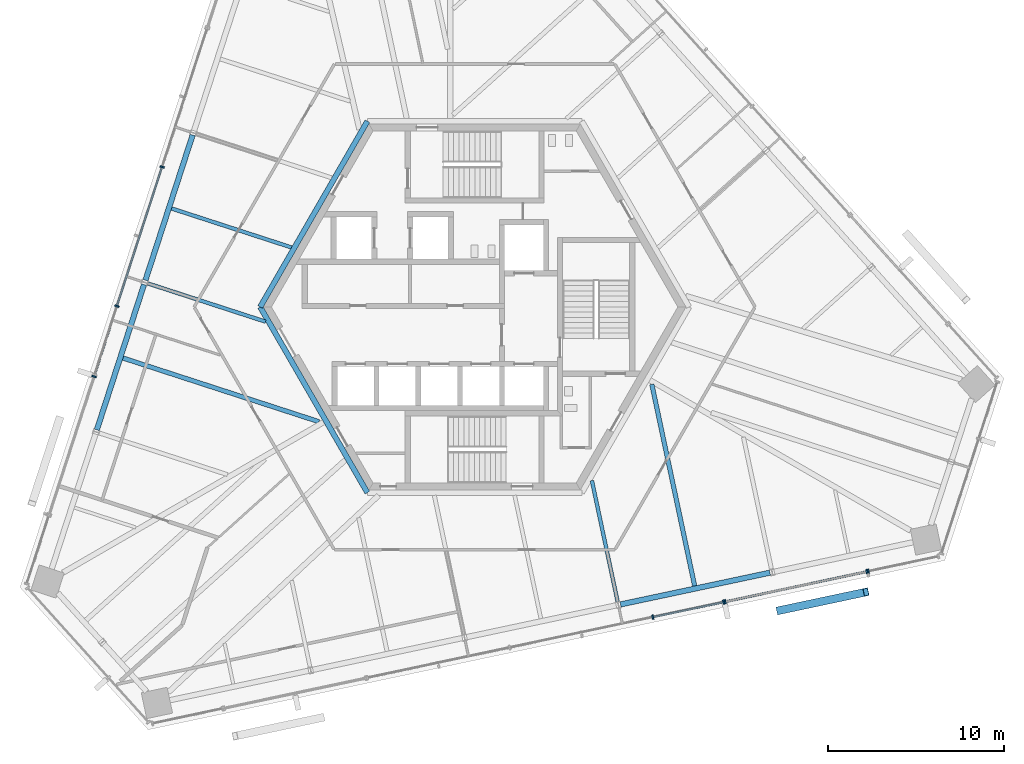
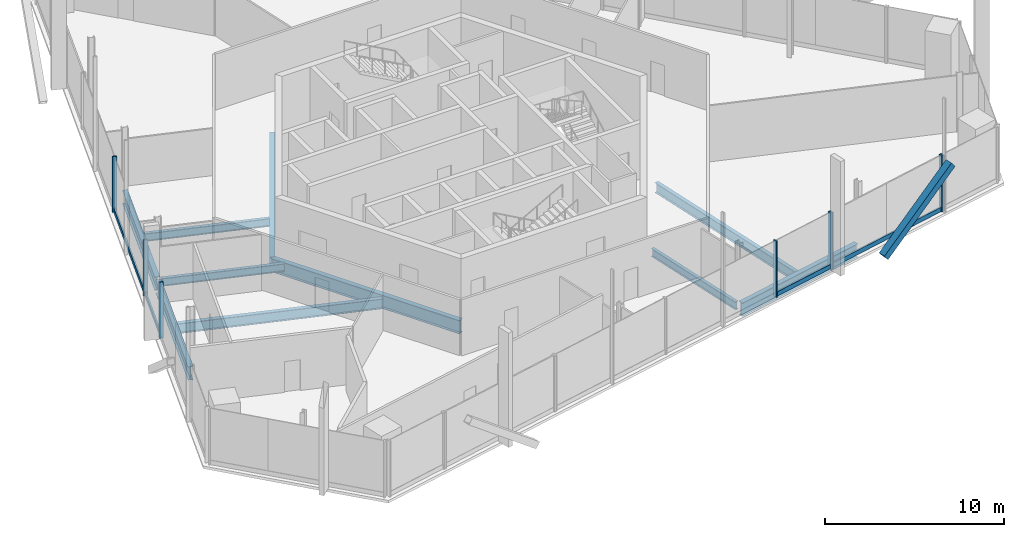
# One storey, part 5 of 17: 13 members, 10 beams, 5 elements without a shape of their own.
"""IFC4 building model written with IfcOpenShell, lengths in metres."""

from ifc_helpers import new_model, si_unit, direction, frame, origin, origin_2d, place, context, subcontext, project, spatial, rectangle, hollow_rectangle, i_section, extrude, source, transform, mapped, material, material_profile, profile_set, type_object, element, aggregate, save


model = new_model("IFC4")

# Units and contexts
model_context = context("Model", 3, precision=1e-05, world=origin(), true_north=direction((0.0, 1.0)))
body_context = subcontext(model_context, "Body", "Model", "MODEL_VIEW")
ifc_project = project(units=[si_unit("LENGTHUNIT", "METRE"), si_unit("AREAUNIT", "SQUARE_METRE"), si_unit("VOLUMEUNIT", "CUBIC_METRE"), si_unit("PLANEANGLEUNIT", "RADIAN"), si_unit("MASSUNIT", "GRAM", prefix="KILO")], contexts=[model_context])

# Site, building, storey
site_placement = place(None, origin())
site = spatial("IfcSite", under=ifc_project, at=site_placement, CompositionType="ELEMENT")
building_placement = place(site_placement, origin())
building = spatial("IfcBuilding", under=site, at=building_placement, Name="Triune Harvest Tower", CompositionType="ELEMENT")
storey_placement = place(building_placement, frame((0.0, 0.0, 288.699951171875)))
storey = spatial("IfcBuildingStorey", under=building, at=storey_placement, Name="L76", CompositionType="ELEMENT", Elevation=288.699951171875)

# Curtain wall, member
ifc_material_1 = material(Name="Aluminium bronze anodised", Category="aluminium")
curtain_wall_type_1 = type_object("IfcCurtainWallType", Name="CW-4 Sky lobby tall glazing wall", PredefinedType="NOTDEFINED", material=ifc_material_1)
curtain_wall_1_placement = place(storey_placement, origin())
curtain_wall_1 = element("IfcCurtainWall", 1, at=curtain_wall_1_placement, inside=storey, type_object=curtain_wall_type_1, Name="CW-4 B7-F3 L76 run 2001")
ifc_material_2 = material(Name="Aluminium bronze anodised", Category="aluminium")
ifc_material_profile_1 = material_profile(ifc_material_2, rectangle(XDim=0.10009765625, YDim=0.300048828125, at=origin_2d()), Name="TR-4 transom 100 x 300")
ifc_profile_set_1 = profile_set([ifc_material_profile_1], Name="Aluminium bronze anodised")
member_type_1 = type_object("IfcMemberType", Name="TR-4 transom 100 x 300", PredefinedType="USERDEFINED", material=ifc_profile_set_1)
member_1_placement = place(storey_placement, frame((-17.755615234375, 7.90673828125, 0.150146484375), z_axis=(-0.309029670889, -0.951052397353, 0.0), x_axis=(0.951052397353, -0.309029670889, 0.0)))
member_1 = element("IfcMember", 2, at=member_1_placement, type_object=member_type_1, Name="CW-4 transom B7-F3 2001.2", ObjectType="TRANSOM", PredefinedType="USERDEFINED", context=body_context, shape_type="SweptSolid", body=[
    extrude(rectangle(XDim=0.10009765625, YDim=0.300048828125, at=origin_2d()), origin(), (0.0, 0.0, 1.0), 8.2216796875),
])

# Beams
ifc_material_3 = material(Name="Steel ASTM A992 Gr 50", Category="steel")
ifc_material_profile_2 = material_profile(ifc_material_3, i_section(OverallWidth=0.3046875, OverallDepth=0.914306640625, WebThickness=0.0166015625, FlangeThickness=0.02587890625, at=origin_2d()), Name="W36x160")
ifc_profile_set_2 = profile_set([ifc_material_profile_2], Name="Steel ASTM A992 Gr 50")
beam_type_1 = type_object("IfcBeamType", Name="CG-1 Core ring girder W36x160", PredefinedType="BEAM", material=ifc_profile_set_2)
shared_shape_1 = source(origin(), body_context, "Body", "SweptSolid", [
    extrude(i_section(OverallWidth=0.3046875, OverallDepth=0.914306640625, WebThickness=0.0166015625, FlangeThickness=0.02587890625, at=origin_2d()), origin(), (0.0, 0.0, 1.0), 12.176025390625),
])
for number, where, z_axis, x_axis, name in (
    (3, (-6.087890625, 10.544677734375, -0.63720703125), (-0.5000099932, -0.866019634131, 0.0), (0.866019634131, -0.5000099932, 0.0), "beam/L76/CG3"),
    (4, (-12.176025390625, 0.0, -0.63720703125), (0.5000099932, -0.866019634131, 0.0), (0.866019634131, 0.5000099932, 0.0), "beam/L76/CG4"),
):
    element("IfcBeam", number, at=place(storey_placement, frame(where, z_axis=z_axis, x_axis=x_axis)), inside=storey, type_object=beam_type_1, Name=name, PredefinedType="BEAM", context=body_context, shape_type="MappedRepresentation", body=[
        mapped(shared_shape_1, transform((0.0, 0.0, 0.0), scale=1.0)),
    ])
ifc_material_4 = material(Name="Steel ASTM A992 Gr 50", Category="steel")
ifc_material_profile_3 = material_profile(ifc_material_4, i_section(OverallWidth=0.3046875, OverallDepth=0.914306640625, WebThickness=0.0166015625, FlangeThickness=0.02587890625, at=origin_2d()), Name="W36x160")
ifc_profile_set_3 = profile_set([ifc_material_profile_3], Name="Steel ASTM A992 Gr 50")
beam_type_2 = type_object("IfcBeamType", Name="SB-1 Spandrel beam W36x160", PredefinedType="SPANDREL", material=ifc_profile_set_3)
shared_shape_2 = source(origin(), body_context, "Body", "SweptSolid", [
    extrude(i_section(OverallWidth=0.3046875, OverallDepth=0.914306640625, WebThickness=0.0166015625, FlangeThickness=0.02587890625, at=origin_2d()), origin(), (0.0, 0.0, 1.0), 8.67138671875),
])
for number, where, z_axis, x_axis, name in (
    (5, (-16.011474609375, 9.76123046875, -0.63720703125), (-0.309030684676, -0.951052067938, 0.0), (0.951052067938, -0.309030684676, 0.0), "beam/L76/SB10"),
    (6, (-18.7705078125, 1.270263671875, -0.63720703125), (-0.309022409974, -0.951054756643, 0.0), (0.951054756643, -0.309022409974, 0.0), "beam/L76/SB11"),
    (7, (8.28515625, -16.890869140625, -0.63720703125), (0.978145539793, 0.207921386546, 0.0), (-0.207921386546, 0.978145539793, 0.0), "beam/L76/SB18"),
):
    element("IfcBeam", number, at=place(storey_placement, frame(where, z_axis=z_axis, x_axis=x_axis)), inside=storey, type_object=beam_type_2, Name=name, PredefinedType="SPANDREL", context=body_context, shape_type="MappedRepresentation", body=[
        mapped(shared_shape_2, transform((0.0, 0.0, 0.0), scale=1.0)),
    ])
ifc_material_5 = material(Name="Steel ASTM A992 Gr 50", Category="steel")
ifc_material_profile_4 = material_profile(ifc_material_5, i_section(OverallWidth=0.2099609375, OverallDepth=0.535888671875, WebThickness=0.010986328125, FlangeThickness=0.017333984375, at=origin_2d()), Name="W21x68")
ifc_profile_set_4 = profile_set([ifc_material_profile_4], Name="Steel ASTM A992 Gr 50")
beam_type_3 = type_object("IfcBeamType", Name="JT-2 Floor joist W21x68", PredefinedType="JOIST", material=ifc_profile_set_4)
shared_shape_3 = source(origin(), body_context, "Body", "SweptSolid", [
    extrude(i_section(OverallWidth=0.2099609375, OverallDepth=0.535888671875, WebThickness=0.010986328125, FlangeThickness=0.017333984375, at=origin_2d()), origin(), (0.0, 0.0, 1.0), 7.035400390625),
])
beam_1_placement = place(storey_placement, frame((8.122314453125, -16.7412109375, -0.447998046875), z_axis=(-0.207933876112, 0.978142884841, 0.0), x_axis=(-0.978142884841, -0.207933876112, 0.0)))
element("IfcBeam", 8, at=beam_1_placement, inside=storey, type_object=beam_type_3, Name="beam/L76/JT28", PredefinedType="JOIST", context=body_context, shape_type="MappedRepresentation", body=[
    mapped(shared_shape_3, transform((0.0, 0.0, 0.0), scale=1.0)),
])
ifc_material_6 = material(Name="Steel ASTM A992 Gr 50", Category="steel")
ifc_material_profile_5 = material_profile(ifc_material_6, i_section(OverallWidth=0.253662109375, OverallDepth=0.683349609375, WebThickness=0.012451171875, FlangeThickness=0.01904296875, at=origin_2d()), Name="W27x94")
ifc_profile_set_5 = profile_set([ifc_material_profile_5], Name="Steel ASTM A992 Gr 50")
beam_type_4 = type_object("IfcBeamType", Name="JT-4 Floor joist W27x94", PredefinedType="JOIST", material=ifc_profile_set_5)
shared_shape_4 = source(origin(), body_context, "Body", "SweptSolid", [
    extrude(i_section(OverallWidth=0.253662109375, OverallDepth=0.683349609375, WebThickness=0.012451171875, FlangeThickness=0.01904296875, at=origin_2d()), origin(), (0.0, 0.0, 1.0), 11.70068359375),
])
for number, where, z_axis, x_axis, name in (
    (9, (-19.96533203125, -2.900390625, -0.521484375), (0.951055533623, -0.309020018713, 0.0), (0.309020018713, 0.951055533623, 0.0), "beam/L76/JT18"),
    (10, (12.494384765625, -15.84033203125, -0.521484375), (-0.207902925765, 0.978149463762, 0.0), (-0.978149463762, -0.207902925765, 0.0), "beam/L76/JT29"),
):
    element("IfcBeam", number, at=place(storey_placement, frame(where, z_axis=z_axis, x_axis=x_axis)), inside=storey, type_object=beam_type_4, Name=name, PredefinedType="JOIST", context=body_context, shape_type="MappedRepresentation", body=[
        mapped(shared_shape_4, transform((0.0, 0.0, 0.0), scale=1.0)),
    ])
shared_shape_5 = source(origin(), body_context, "Body", "SweptSolid", [
    extrude(i_section(OverallWidth=0.2099609375, OverallDepth=0.535888671875, WebThickness=0.010986328125, FlangeThickness=0.017333984375, at=origin_2d()), origin(), (0.0, 0.0, 1.0), 7.15576171875),
])
beam_2_placement = place(storey_placement, frame((-17.206298828125, 5.5908203125, -0.447998046875), z_axis=(0.95104785783, -0.30904364112, 0.0), x_axis=(0.30904364112, 0.95104785783, 0.0)))
element("IfcBeam", 11, at=beam_2_placement, inside=storey, type_object=beam_type_3, Name="beam/L76/JT16", PredefinedType="JOIST", context=body_context, shape_type="MappedRepresentation", body=[
    mapped(shared_shape_5, transform((0.0, 0.0, 0.0), scale=1.0)),
])
shared_shape_6 = source(origin(), body_context, "Body", "SweptSolid", [
    extrude(i_section(OverallWidth=0.2099609375, OverallDepth=0.535888671875, WebThickness=0.010986328125, FlangeThickness=0.017333984375, at=origin_2d()), origin(), (0.0, 0.0, 1.0), 7.03515625),
])
beam_3_placement = place(storey_placement, frame((-18.559326171875, 1.336669921875, -0.447998046875), z_axis=(0.951053958357, -0.309024866787, 0.0), x_axis=(0.309024866787, 0.951053958357, 0.0)))
element("IfcBeam", 12, at=beam_3_placement, inside=storey, type_object=beam_type_3, Name="beam/L76/JT17", PredefinedType="JOIST", context=body_context, shape_type="MappedRepresentation", body=[
    mapped(shared_shape_6, transform((0.0, 0.0, 0.0), scale=1.0)),
])

# Member
ifc_material_7 = material(Name="Steel ASTM A572 Gr 50", Category="steel")
ifc_material_profile_6 = material_profile(ifc_material_7, hollow_rectangle(XDim=0.449951171875, YDim=0.449951171875, WallThickness=0.02490234375, at=origin_2d()), Name="Box 450x450x25")
ifc_profile_set_6 = profile_set([ifc_material_profile_6], Name="Steel ASTM A572 Gr 50")
member_type_2 = type_object("IfcMemberType", Name="BR-4 Brace Box 450x450x25", PredefinedType="BRACE", material=ifc_profile_set_6)
shared_shape_7 = source(origin(), body_context, "Body", "SweptSolid", [
    extrude(hollow_rectangle(XDim=0.449951171875, YDim=0.449951171875, WallThickness=0.02490234375, at=origin_2d()), origin(), (0.0, 0.0, 1.0), 6.4326171875),
])
member_2_placement = place(storey_placement, frame((17.294189453125, -17.23583984375, 0.0), z_axis=(0.766029669925, 0.162823528909, 0.621841654465), x_axis=(-0.207910342213, 0.978147887388, 0.0)))
element("IfcMember", 13, at=member_2_placement, inside=storey, type_object=member_type_2, Name="brace/B7-F5/d1/9", PredefinedType="BRACE", context=body_context, shape_type="MappedRepresentation", body=[
    mapped(shared_shape_7, transform((0.0, 0.0, 0.0), scale=1.0)),
])

ifc_material_8 = material(Name="Aluminium bronze anodised", Category="aluminium")
ifc_material_profile_7 = material_profile(ifc_material_8, rectangle(XDim=0.25, YDim=0.090087890625, at=origin_2d()), Name="MU-4 mullion 90 x 250")
ifc_profile_set_7 = profile_set([ifc_material_profile_7], Name="Aluminium bronze anodised")
member_type_3 = type_object("IfcMemberType", Name="MU-4 mullion 90 x 250", PredefinedType="MULLION", material=ifc_profile_set_7)
shared_shape_8 = source(origin(), body_context, "Body", "SweptSolid", [
    extrude(rectangle(XDim=0.25, YDim=0.090087890625, at=origin_2d()), origin(), (0.0, 0.0, 1.0), 3.820068359375),
])
member_3_placement = place(storey_placement, frame((-17.74169921875, 7.949462890625, 0.0), z_axis=(0.0, 0.0, 1.0), x_axis=(0.951055533932, -0.309020017761, 0.0)))
member_3 = element("IfcMember", 14, at=member_3_placement, type_object=member_type_3, Name="CW-4 mullion B7-F3 2001.3", PredefinedType="MULLION", context=body_context, shape_type="MappedRepresentation", body=[
    mapped(shared_shape_8, transform((0.0, 0.0, 0.0), scale=1.0)),
])

member_4_placement = place(storey_placement, frame((-20.31005859375, 0.044677734375, 0.0), z_axis=(0.0, 0.0, 1.0), x_axis=(0.951055533932, -0.309020017761, 0.0)))
member_4 = element("IfcMember", 15, at=member_4_placement, type_object=member_type_3, Name="CW-4 mullion B7-F3 2001.5", PredefinedType="MULLION", context=body_context, shape_type="MappedRepresentation", body=[
    mapped(shared_shape_8, transform((0.0, 0.0, 0.0), scale=1.0)),
])

# Curtain wall, member
ifc_material_9 = material(Name="Aluminium bronze anodised", Category="aluminium")
curtain_wall_type_2 = type_object("IfcCurtainWallType", Name="CW-9 Sky lobby tall glazing wall with insulated spandrel infill", PredefinedType="NOTDEFINED", material=ifc_material_9)
curtain_wall_2_placement = place(storey_placement, origin())
curtain_wall_2 = element("IfcCurtainWall", 16, at=curtain_wall_2_placement, inside=storey, type_object=curtain_wall_type_2, Name="CW-9 B7-F3 L76 run 3001")
member_5_placement = place(storey_placement, frame((-21.6083984375, -3.950439453125, 0.0), z_axis=(0.0, 0.0, 1.0), x_axis=(0.951057407868, -0.309014250382, 0.0)))
member_5 = element("IfcMember", 17, at=member_5_placement, type_object=member_type_3, Name="CW-9 mullion B7-F3 3001.1", PredefinedType="MULLION", context=body_context, shape_type="MappedRepresentation", body=[
    mapped(shared_shape_8, transform((0.0, 0.0, 0.0), scale=1.0)),
])
aggregate(curtain_wall_2, [member_5])

# Curtain wall, members
curtain_wall_3_placement = place(storey_placement, origin())
curtain_wall_3 = element("IfcCurtainWall", 18, at=curtain_wall_3_placement, inside=storey, type_object=curtain_wall_type_1, Name="CW-4 B7-F5 L76 run 2001")
member_6_placement = place(storey_placement, frame((10.116455078125, -17.611328125, 0.0), z_axis=(0.0, 0.0, 1.0), x_axis=(-0.207913090389, 0.978147303245, 0.0)))
member_6 = element("IfcMember", 19, at=member_6_placement, type_object=member_type_3, Name="CW-4 mullion B7-F5 2001.5", PredefinedType="MULLION", context=body_context, shape_type="MappedRepresentation", body=[
    mapped(shared_shape_8, transform((0.0, 0.0, 0.0), scale=1.0)),
])
member_7_placement = place(storey_placement, frame((14.13720703125, -16.7568359375, 0.0), z_axis=(0.0, 0.0, 1.0), x_axis=(-0.207913090389, 0.978147303245, 0.0)))
member_7 = element("IfcMember", 20, at=member_7_placement, type_object=member_type_3, Name="CW-4 mullion B7-F5 2001.6", PredefinedType="MULLION", context=body_context, shape_type="MappedRepresentation", body=[
    mapped(shared_shape_8, transform((0.0, 0.0, 0.0), scale=1.0)),
])

curtain_wall_4_placement = place(storey_placement, origin())
curtain_wall_4 = element("IfcCurtainWall", 21, at=curtain_wall_4_placement, inside=storey, type_object=curtain_wall_type_2, Name="CW-9 B7-F5 L76 run 3001")
member_8_placement = place(storey_placement, frame((14.225341796875, -16.738037109375, 0.0), z_axis=(0.0, 0.0, 1.0), x_axis=(-0.20791343519, 0.978147229954, 0.0)))
member_8 = element("IfcMember", 22, at=member_8_placement, type_object=member_type_3, Name="CW-9 mullion B7-F5 3001.1", PredefinedType="MULLION", context=body_context, shape_type="MappedRepresentation", body=[
    mapped(shared_shape_8, transform((0.0, 0.0, 0.0), scale=1.0)),
])
member_9_placement = place(storey_placement, frame((22.267333984375, -15.028564453125, 0.0), z_axis=(0.0, 0.0, 1.0), x_axis=(-0.20791343519, 0.978147229954, 0.0)))
member_9 = element("IfcMember", 23, at=member_9_placement, type_object=member_type_3, Name="CW-9 mullion B7-F5 3001.3", PredefinedType="MULLION", context=body_context, shape_type="MappedRepresentation", body=[
    mapped(shared_shape_8, transform((0.0, 0.0, 0.0), scale=1.0)),
])

# Curtain wall, member
curtain_wall_5_placement = place(storey_placement, origin())
curtain_wall_5 = element("IfcCurtainWall", 24, at=curtain_wall_5_placement, inside=storey, type_object=curtain_wall_type_1, Name="CW-4 B7-F5 L76 run 4001")
member_10_placement = place(storey_placement, frame((22.355224609375, -15.010009765625, 0.0), z_axis=(0.0, 0.0, 1.0), x_axis=(-0.207900793267, 0.978149917016, 0.0)))
member_10 = element("IfcMember", 25, at=member_10_placement, type_object=member_type_3, Name="CW-4 mullion B7-F5 4001.1", PredefinedType="MULLION", context=body_context, shape_type="MappedRepresentation", body=[
    mapped(shared_shape_8, transform((0.0, 0.0, 0.0), scale=1.0)),
])
aggregate(curtain_wall_5, [member_10])

# Member
shared_shape_9 = source(origin(), body_context, "Body", "SweptSolid", [
    extrude(rectangle(XDim=0.10009765625, YDim=0.300048828125, at=origin_2d()), origin(), (0.0, 0.0, 1.0), 4.020751953125),
])
member_11_placement = place(storey_placement, frame((-20.323974609375, 0.001953125, 0.150146484375), z_axis=(-0.309059986025, -0.951042546387, 0.0), x_axis=(0.951042546387, -0.309059986025, 0.0)))
member_11 = element("IfcMember", 26, at=member_11_placement, type_object=member_type_1, Name="CW-4 transom B7-F3 2001.3", ObjectType="TRANSOM", PredefinedType="USERDEFINED", context=body_context, shape_type="MappedRepresentation", body=[
    mapped(shared_shape_9, transform((0.0, 0.0, 0.0), scale=1.0)),
])

aggregate(curtain_wall_1, [member_3, member_4, member_1, member_11])

member_12_placement = place(storey_placement, frame((10.160400390625, -17.60205078125, 0.150146484375), z_axis=(0.978148510227, 0.207907411945, 0.0), x_axis=(-0.207907411945, 0.978148510227, 0.0)))
member_12 = element("IfcMember", 27, at=member_12_placement, type_object=member_type_1, Name="CW-4 transom B7-F5 2001.3", ObjectType="TRANSOM", PredefinedType="USERDEFINED", context=body_context, shape_type="MappedRepresentation", body=[
    mapped(shared_shape_9, transform((0.0, 0.0, 0.0), scale=1.0)),
])

aggregate(curtain_wall_3, [member_6, member_7, member_12])

shared_shape_10 = source(origin(), body_context, "Body", "SweptSolid", [
    extrude(rectangle(XDim=0.10009765625, YDim=0.300048828125, at=origin_2d()), origin(), (0.0, 0.0, 1.0), 8.1318359375),
])
member_13_placement = place(storey_placement, frame((14.269287109375, -16.728759765625, 0.150146484375), z_axis=(0.978148167214, 0.20790902572, 0.0), x_axis=(-0.20790902572, 0.978148167214, 0.0)))
member_13 = element("IfcMember", 28, at=member_13_placement, type_object=member_type_1, Name="CW-9 transom B7-F5 3001.1", ObjectType="TRANSOM", PredefinedType="USERDEFINED", context=body_context, shape_type="MappedRepresentation", body=[
    mapped(shared_shape_10, transform((0.0, 0.0, 0.0), scale=1.0)),
])

aggregate(curtain_wall_4, [member_8, member_9, member_13])

save(model, "model.ifc")
